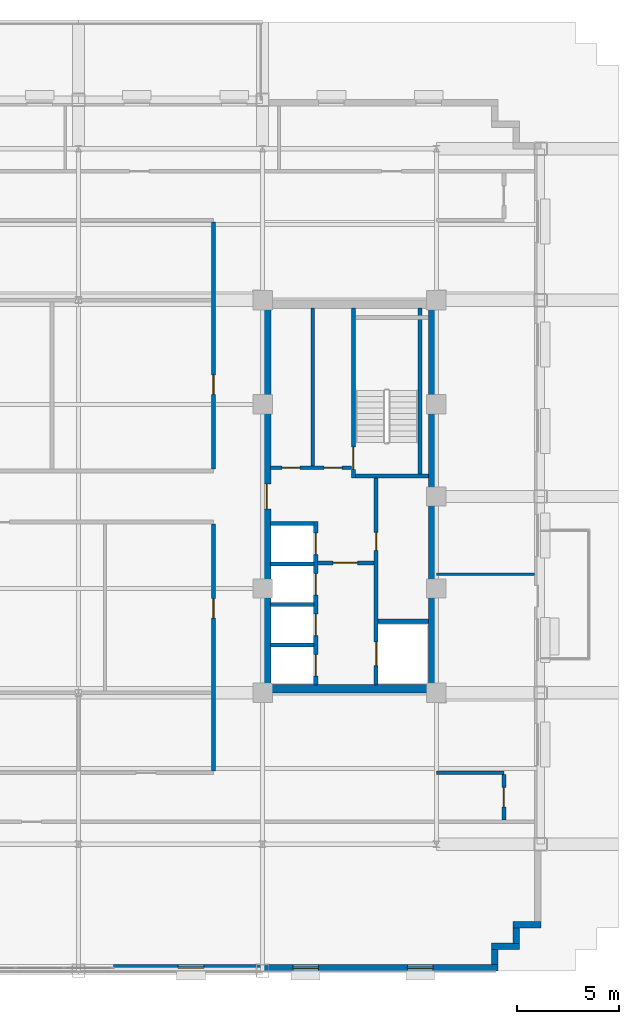
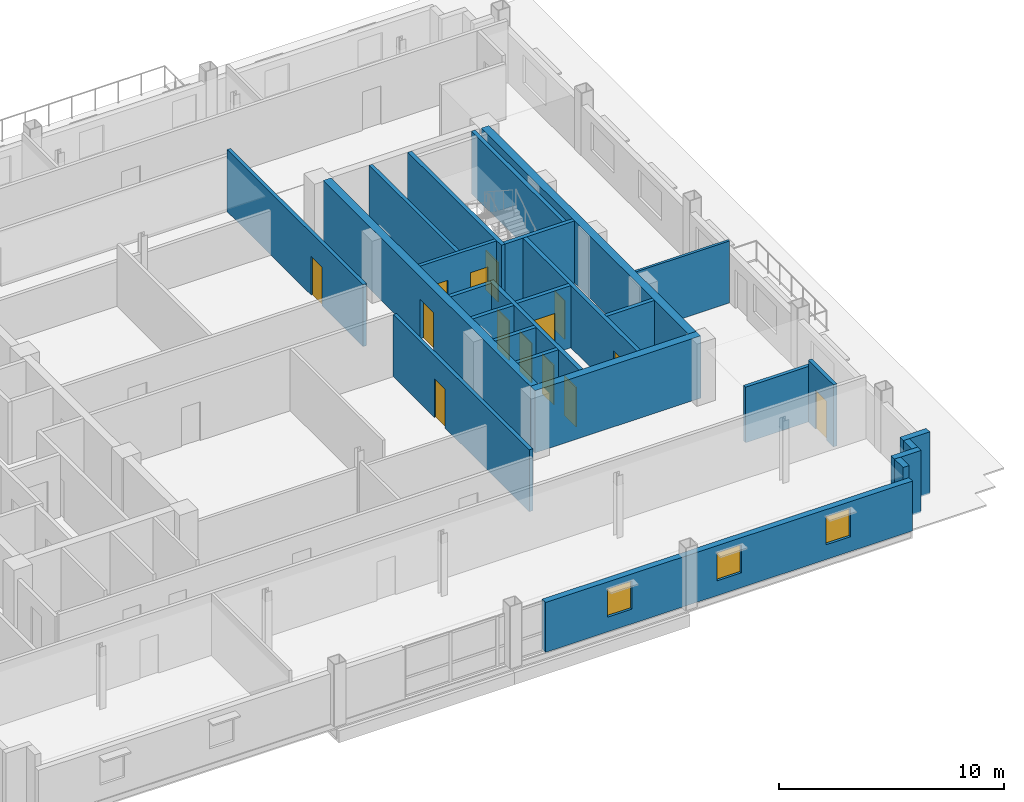
# One storey, part 8 of 17: 26 walls, 14 doors, 3 windows, 17 openings.
"""IFC4 building model written with IfcOpenShell, lengths in metres."""

from ifc_helpers import new_model, si_unit, direction, frame, frame_2d, origin, place, context, subcontext, project, spatial, rectangle, extrude, source, transform, mapped, material, layer, layer_set, type_object, type_shapes, element, fill, save


model = new_model("IFC4")

# Units and contexts
model_context = context("Model", 3, precision=1e-05, world=origin(), true_north=direction((0.0, 1.0)))
body_context = subcontext(model_context, "Body", "Model", "MODEL_VIEW")
ifc_project = project(units=[si_unit("LENGTHUNIT", "METRE"), si_unit("AREAUNIT", "SQUARE_METRE"), si_unit("VOLUMEUNIT", "CUBIC_METRE"), si_unit("PLANEANGLEUNIT", "RADIAN"), si_unit("MASSUNIT", "GRAM", prefix="KILO")], contexts=[model_context])

# Site, building, storey
site_placement = place(None, origin())
site = spatial("IfcSite", under=ifc_project, at=site_placement, CompositionType="ELEMENT")
building_placement = place(site_placement, origin())
building = spatial("IfcBuilding", under=site, at=building_placement, Name="Nuvemarco Arch Tower", CompositionType="ELEMENT")
storey_placement = place(building_placement, frame((0.0, 0.0, 167.64990234375)))
storey = spatial("IfcBuildingStorey", under=building, at=storey_placement, Name="L44", CompositionType="ELEMENT", Elevation=167.64990234375)

# Wall, openings, windows
ifc_material_1 = material(Name="Precast concrete C45/55", Category="concrete")
ifc_layer_1 = layer(ifc_material_1, 0.31005859375, Name="EW-UPP-310")
ifc_layer_set_1 = layer_set([ifc_layer_1], Name="Precast concrete C45/55")
wall_type_1 = type_object("IfcWallType", Name="EW-UPP-310", PredefinedType="STANDARD", material=ifc_layer_set_1)
wall_1_placement = place(storey_placement, frame((1.699951171875, -23.044921875, 0.0), z_axis=(0.0, 0.0, 1.0), x_axis=(1.0, 0.0, 0.0)))
wall_1 = element("IfcWall", 1, at=wall_1_placement, inside=storey, type_object=wall_type_1, Name="L44 exterior precast pier wall south right", PredefinedType="STANDARD", context=body_context, shape_type="SweptSolid", body=[
    extrude(rectangle(XDim=18.800048828125, YDim=0.31005859375, at=frame_2d((9.39990234375, 0.0))), origin(), (0.0, 0.0, 1.0), 2.705078125),
])
opening_1_placement = place(wall_1_placement, frame((3.175048828125, 0.0, 0.800048828125)))
opening_1 = element("IfcOpeningElement", 2, at=opening_1_placement, cuts=wall_1, Name="Opening WN-13", PredefinedType="OPENING", context=body_context, shape_type="SweptSolid", body=[
    extrude(rectangle(XDim=1.25, YDim=1.52001953125, at=frame_2d((0.625, 0.760009765625))), frame((0.0, 0.1650390625, 0.0), z_axis=(0.0, -1.0, 0.0), x_axis=(1.0, 0.0, 0.0)), (0.0, 0.0, 1.0), 0.330078125),
])
opening_2_placement = place(wall_1_placement, frame((8.77490234375, 0.0, 0.800048828125)))
opening_2 = element("IfcOpeningElement", 3, at=opening_2_placement, cuts=wall_1, Name="Opening WN-13", PredefinedType="OPENING", context=body_context, shape_type="SweptSolid", body=[
    extrude(rectangle(XDim=1.25, YDim=1.52001953125, at=frame_2d((0.625, 0.760009765625))), frame((0.0, 0.1650390625, 0.0), z_axis=(0.0, -1.0, 0.0), x_axis=(1.0, 0.0, 0.0)), (0.0, 0.0, 1.0), 0.330078125),
])
opening_3_placement = place(wall_1_placement, frame((14.375, 0.0, 0.800048828125)))
opening_3 = element("IfcOpeningElement", 4, at=opening_3_placement, cuts=wall_1, Name="Opening WN-13", PredefinedType="OPENING", context=body_context, shape_type="SweptSolid", body=[
    extrude(rectangle(XDim=1.25, YDim=1.52001953125, at=frame_2d((0.625, 0.760009765625))), frame((0.0, 0.1650390625, 0.0), z_axis=(0.0, -1.0, 0.0), x_axis=(1.0, 0.0, 0.0)), (0.0, 0.0, 1.0), 0.330078125),
])
ifc_material_2 = material(Name="Insulated solar-control glass", Category="glass")
window_type = type_object("IfcWindowType", Name="WN-SET-1250x1520", PartitioningType="SINGLE_PANEL", PredefinedType="WINDOW", material=ifc_material_2)
shared_shape_1 = source(origin(), body_context, "Body", "SweptSolid", [
    extrude(rectangle(XDim=1.25, YDim=1.52001953125, at=frame_2d((0.625, 0.760009765625))), frame((0.0, 0.030029296875, 0.0), z_axis=(0.0, -1.0, 0.0), x_axis=(1.0, 0.0, 0.0)), (0.0, 0.0, 1.0), 0.06005859375),
])
type_shapes(window_type, [shared_shape_1])
window_1_placement = place(opening_1_placement, origin())
window_1 = element("IfcWindow", 5, at=window_1_placement, inside=storey, type_object=window_type, Name="L44 punched facade window 1", OverallHeight=1.52001953125, OverallWidth=1.25, PartitioningType="SINGLE_PANEL", PredefinedType="WINDOW", context=body_context, shape_type="MappedRepresentation", body=[
    mapped(shared_shape_1, transform((0.0, 0.0, 0.0), scale=1.0)),
])
fill(opening_1, window_1)
window_2_placement = place(opening_2_placement, origin())
window_2 = element("IfcWindow", 6, at=window_2_placement, inside=storey, type_object=window_type, Name="L44 punched facade window 2", OverallHeight=1.52001953125, OverallWidth=1.25, PartitioningType="SINGLE_PANEL", PredefinedType="WINDOW", context=body_context, shape_type="MappedRepresentation", body=[
    mapped(shared_shape_1, transform((0.0, 0.0, 0.0), scale=1.0)),
])
fill(opening_2, window_2)
window_3_placement = place(opening_3_placement, origin())
window_3 = element("IfcWindow", 7, at=window_3_placement, inside=storey, type_object=window_type, Name="L44 punched facade window 3", OverallHeight=1.52001953125, OverallWidth=1.25, PartitioningType="SINGLE_PANEL", PredefinedType="WINDOW", context=body_context, shape_type="MappedRepresentation", body=[
    mapped(shared_shape_1, transform((0.0, 0.0, 0.0), scale=1.0)),
])
fill(opening_3, window_3)

# Walls
wall_2_placement = place(storey_placement, frame((20.344970703125, -22.89404296875, 0.0), z_axis=(0.0, 0.0, 1.0), x_axis=(0.0, 1.0, 0.0)))
element("IfcWall", 8, at=wall_2_placement, inside=storey, type_object=wall_type_1, Name="L44 exterior precast facade wall 2", PredefinedType="STANDARD", context=body_context, shape_type="SweptSolid", body=[
    extrude(rectangle(XDim=0.748046875, YDim=0.31005859375, at=frame_2d((0.3740234375, 0.0))), origin(), (0.0, 0.0, 1.0), 3.360107421875),
])
wall_3_placement = place(storey_placement, frame((20.18994140625, -21.9951171875, 0.0), z_axis=(0.0, 0.0, 1.0), x_axis=(1.0, 0.0, 0.0)))
element("IfcWall", 9, at=wall_3_placement, inside=storey, type_object=wall_type_1, Name="L44 exterior precast facade wall 3", PredefinedType="STANDARD", context=body_context, shape_type="SweptSolid", body=[
    extrude(rectangle(XDim=1.360107421875, YDim=0.31005859375, at=frame_2d((0.68017578125, 0.0))), origin(), (0.0, 0.0, 1.0), 3.360107421875),
])
wall_4_placement = place(storey_placement, frame((21.39501953125, -21.843994140625, 0.0), z_axis=(0.0, 0.0, 1.0), x_axis=(0.0, 1.0, 0.0)))
element("IfcWall", 10, at=wall_4_placement, inside=storey, type_object=wall_type_1, Name="L44 exterior precast facade wall 4", PredefinedType="STANDARD", context=body_context, shape_type="SweptSolid", body=[
    extrude(rectangle(XDim=0.748046875, YDim=0.31005859375, at=frame_2d((0.3740234375, 0.0))), origin(), (0.0, 0.0, 1.0), 3.360107421875),
])
wall_5_placement = place(storey_placement, frame((21.239990234375, -20.945068359375, 0.0), z_axis=(0.0, 0.0, 1.0), x_axis=(1.0, 0.0, 0.0)))
element("IfcWall", 11, at=wall_5_placement, inside=storey, type_object=wall_type_1, Name="L44 exterior precast facade wall 5", PredefinedType="STANDARD", context=body_context, shape_type="SweptSolid", body=[
    extrude(rectangle(XDim=1.360107421875, YDim=0.31005859375, at=frame_2d((0.68017578125, 0.0))), origin(), (0.0, 0.0, 1.0), 3.360107421875),
])
ifc_material_3 = material(Name="Concrete C60/75", Category="concrete")
ifc_layer_2 = layer(ifc_material_3, 0.39990234375, Name="WL-CORE-400")
ifc_layer_set_2 = layer_set([ifc_layer_2], Name="Concrete C60/75")
wall_type_2 = type_object("IfcWallType", Name="WL-CORE-400", PredefinedType="SHEAR", material=ifc_layer_set_2)
wall_6_placement = place(storey_placement, frame((9.0, -9.39990234375, 0.0), z_axis=(0.0, 0.0, 1.0), x_axis=(1.0, 0.0, 0.0)))
element("IfcWall", 12, at=wall_6_placement, inside=storey, type_object=wall_type_2, Name="L44 E-core shear wall S", PredefinedType="SHEAR", context=body_context, shape_type="SweptSolid", body=[
    extrude(rectangle(XDim=8.5, YDim=0.39990234375, at=frame_2d((4.25, 0.0))), origin(), (0.0, 0.0, 1.0), 3.3701171875),
])

# Wall, opening, door
wall_7_placement = place(storey_placement, frame((9.199951171875, -9.205078125, 0.0), z_axis=(0.0, 0.0, 1.0), x_axis=(0.0, 1.0, 0.0)))
wall_7 = element("IfcWall", 13, at=wall_7_placement, inside=storey, type_object=wall_type_2, Name="L44 E-core shear wall W", PredefinedType="SHEAR", context=body_context, shape_type="SweptSolid", body=[
    extrude(rectangle(XDim=18.41015625, YDim=0.39990234375, at=frame_2d((9.205078125, 0.0))), origin(), (0.0, 0.0, 1.0), 3.3701171875),
])
opening_4_placement = place(wall_7_placement, frame((8.60498046875, 0.0, 0.0)))
opening_4 = element("IfcOpeningElement", 14, at=opening_4_placement, cuts=wall_7, Name="Opening FD-2", PredefinedType="OPENING", context=body_context, shape_type="SweptSolid", body=[
    extrude(rectangle(XDim=1.199951171875, YDim=2.14990234375, at=frame_2d((0.60009765625, 1.074951171875))), frame((0.0, 0.2099609375, 0.0), z_axis=(0.0, -1.0, 0.0), x_axis=(1.0, 0.0, 0.0)), (0.0, 0.0, 1.0), 0.419921875),
])
ifc_material_4 = material(Name="Anodised steel fire door", Category="steel")
door_type_1 = type_object("IfcDoorType", Name="DR-FFLOB-FD", OperationType="NOTDEFINED", PredefinedType="DOOR", material=ifc_material_4)
shared_shape_2 = source(origin(), body_context, "Body", "SweptSolid", [
    extrude(rectangle(XDim=1.199951171875, YDim=2.14990234375, at=frame_2d((0.60009765625, 1.074951171875))), frame((0.0, 0.02490234375, 0.0), z_axis=(0.0, -1.0, 0.0), x_axis=(1.0, 0.0, 0.0)), (0.0, 0.0, 1.0), 0.050048828125),
])
type_shapes(door_type_1, [shared_shape_2])
door_1_placement = place(opening_4_placement, origin())
door_1 = element("IfcDoor", 15, at=door_1_placement, inside=storey, type_object=door_type_1, Name="L44 door FD-L44-ECORE-W", OperationType="SINGLE_SWING_LEFT", OverallHeight=2.14990234375, OverallWidth=1.199951171875, PredefinedType="DOOR", context=body_context, shape_type="MappedRepresentation", body=[
    mapped(shared_shape_2, transform((0.0, 0.0, 0.0), scale=1.0)),
])
fill(opening_4, door_1)

# Wall
wall_8_placement = place(storey_placement, frame((17.300048828125, -9.205078125, 0.0), z_axis=(0.0, 0.0, 1.0), x_axis=(0.0, 1.0, 0.0)))
element("IfcWall", 16, at=wall_8_placement, inside=storey, type_object=wall_type_2, Name="L44 E-core shear wall E", PredefinedType="SHEAR", context=body_context, shape_type="SweptSolid", body=[
    extrude(rectangle(XDim=18.41015625, YDim=0.39990234375, at=frame_2d((9.205078125, 0.0))), origin(), (0.0, 0.0, 1.0), 3.3701171875),
])

# Wall, openings, doors
ifc_material_5 = material(Name="Fire-rated gypsum drywall partition")
ifc_layer_3 = layer(ifc_material_5, 0.179931640625, Name="WL-CORR-180")
ifc_layer_set_3 = layer_set([ifc_layer_3], Name="Fire-rated gypsum drywall partition")
wall_type_3 = type_object("IfcWallType", Name="WL-CORR-180", PredefinedType="PARTITIONING", material=ifc_layer_set_3)
wall_9_placement = place(storey_placement, frame((9.39501953125, 1.39990234375, 0.0), z_axis=(0.0, 0.0, 1.0), x_axis=(1.0, 0.0, 0.0)))
wall_9 = element("IfcWall", 17, at=wall_9_placement, inside=storey, type_object=wall_type_3, Name="L44 interior wall IW-L44-EK-S", PredefinedType="PARTITIONING", context=body_context, shape_type="SweptSolid", body=[
    extrude(rectangle(XDim=3.949951171875, YDim=0.179931640625, at=frame_2d((1.97509765625, 0.0))), origin(), (0.0, 0.0, 1.0), 3.360107421875),
])
opening_5_placement = place(wall_9_placement, frame((0.56494140625, 0.0, 0.0)))
opening_5 = element("IfcOpeningElement", 18, at=opening_5_placement, cuts=wall_9, Name="Opening FD-4", PredefinedType="OPENING", context=body_context, shape_type="SweptSolid", body=[
    extrude(rectangle(XDim=0.8798828125, YDim=2.10009765625, at=frame_2d((0.43994140625, 1.050048828125))), frame((0.0, 0.099853515625, 0.0), z_axis=(0.0, -1.0, 0.0), x_axis=(1.0, 0.0, 0.0)), (0.0, 0.0, 1.0), 0.199951171875),
])
opening_6_placement = place(wall_9_placement, frame((2.614990234375, 0.0, 0.0)))
opening_6 = element("IfcOpeningElement", 19, at=opening_6_placement, cuts=wall_9, Name="Opening FD-4", PredefinedType="OPENING", context=body_context, shape_type="SweptSolid", body=[
    extrude(rectangle(XDim=0.8798828125, YDim=2.10009765625, at=frame_2d((0.43994140625, 1.050048828125))), frame((0.0, 0.099853515625, 0.0), z_axis=(0.0, -1.0, 0.0), x_axis=(1.0, 0.0, 0.0)), (0.0, 0.0, 1.0), 0.199951171875),
])
door_type_2 = type_object("IfcDoorType", Name="DR-RISER-FD", OperationType="NOTDEFINED", PredefinedType="DOOR", material=ifc_material_4)
shared_shape_3 = source(origin(), body_context, "Body", "SweptSolid", [
    extrude(rectangle(XDim=0.8798828125, YDim=2.10009765625, at=frame_2d((0.43994140625, 1.050048828125))), frame((0.0, 0.02490234375, 0.0), z_axis=(0.0, -1.0, 0.0), x_axis=(1.0, 0.0, 0.0)), (0.0, 0.0, 1.0), 0.050048828125),
])
type_shapes(door_type_2, [shared_shape_3])
door_2_placement = place(opening_5_placement, origin())
door_2 = element("IfcDoor", 20, at=door_2_placement, inside=storey, type_object=door_type_2, Name="L44 door FD-L44-EK2A", OperationType="SINGLE_SWING_RIGHT", OverallHeight=2.10009765625, OverallWidth=0.8798828125, PredefinedType="DOOR", context=body_context, shape_type="MappedRepresentation", body=[
    mapped(shared_shape_3, transform((0.0, 0.0, 0.0), scale=1.0)),
])
fill(opening_5, door_2)
door_3_placement = place(opening_6_placement, origin())
door_3 = element("IfcDoor", 21, at=door_3_placement, inside=storey, type_object=door_type_2, Name="L44 door FD-L44-EK2B", OperationType="SINGLE_SWING_LEFT", OverallHeight=2.10009765625, OverallWidth=0.8798828125, PredefinedType="DOOR", context=body_context, shape_type="MappedRepresentation", body=[
    mapped(shared_shape_3, transform((0.0, 0.0, 0.0), scale=1.0)),
])
fill(opening_6, door_3)

# Walls
wall_10_placement = place(storey_placement, frame((11.449951171875, 1.489990234375, 0.0), z_axis=(0.0, 0.0, 1.0), x_axis=(0.0, 1.0, 0.0)))
element("IfcWall", 22, at=wall_10_placement, inside=storey, type_object=wall_type_3, Name="L44 interior wall IW-L44-EK2", PredefinedType="PARTITIONING", context=body_context, shape_type="SweptSolid", body=[
    extrude(rectangle(XDim=7.715087890625, YDim=0.179931640625, at=frame_2d((3.857421875, 0.0))), origin(), (0.0, 0.0, 1.0), 3.360107421875),
])
wall_11_placement = place(storey_placement, frame((17.5, -13.5, 0.0), z_axis=(0.0, 0.0, 1.0), x_axis=(1.0, 0.0, 0.0)))
element("IfcWall", 23, at=wall_11_placement, inside=storey, type_object=wall_type_3, Name="L44 interior wall IW-L44-003", PredefinedType="PARTITIONING", context=body_context, shape_type="SweptSolid", body=[
    extrude(rectangle(XDim=3.300048828125, YDim=0.179931640625, at=frame_2d((1.64990234375, 0.0))), origin(), (0.0, 0.0, 1.0), 3.008056640625),
])

# Wall, opening, door
wall_12_placement = place(storey_placement, frame((6.60009765625, -13.4140625, 0.0), z_axis=(0.0, 0.0, 1.0), x_axis=(0.0, 1.0, 0.0)))
wall_12 = element("IfcWall", 24, at=wall_12_placement, inside=storey, type_object=wall_type_3, Name="L44 interior wall IW-L44-026", PredefinedType="PARTITIONING", context=body_context, shape_type="SweptSolid", body=[
    extrude(rectangle(XDim=12.078125, YDim=0.179931640625, at=frame_2d((6.0390625, 0.0))), origin(), (0.0, 0.0, 1.0), 3.360107421875),
])
opening_7_placement = place(wall_12_placement, frame((7.466064453125, 0.0, 0.0)))
opening_7 = element("IfcOpeningElement", 25, at=opening_7_placement, cuts=wall_12, Name="Opening FD-5", PredefinedType="OPENING", context=body_context, shape_type="SweptSolid", body=[
    extrude(rectangle(XDim=0.9599609375, YDim=2.10009765625, at=frame_2d((0.47998046875, 1.050048828125))), frame((0.0, 0.099853515625, 0.0), z_axis=(0.0, -1.0, 0.0), x_axis=(1.0, 0.0, 0.0)), (0.0, 0.0, 1.0), 0.199951171875),
])
ifc_material_6 = material(Name="Timber fire door", Category="wood")
door_type_3 = type_object("IfcDoorType", Name="DR-CORR-FD", OperationType="NOTDEFINED", PredefinedType="DOOR", material=ifc_material_6)
shared_shape_4 = source(origin(), body_context, "Body", "SweptSolid", [
    extrude(rectangle(XDim=0.9599609375, YDim=2.10009765625, at=frame_2d((0.47998046875, 1.050048828125))), frame((0.0, 0.02490234375, 0.0), z_axis=(0.0, -1.0, 0.0), x_axis=(1.0, 0.0, 0.0)), (0.0, 0.0, 1.0), 0.050048828125),
])
type_shapes(door_type_3, [shared_shape_4])
door_4_placement = place(opening_7_placement, origin())
door_4 = element("IfcDoor", 26, at=door_4_placement, inside=storey, type_object=door_type_3, Name="L44 door DR-L44-C_SE", OperationType="SINGLE_SWING_RIGHT", OverallHeight=2.10009765625, OverallWidth=0.9599609375, PredefinedType="DOOR", context=body_context, shape_type="MappedRepresentation", body=[
    mapped(shared_shape_4, transform((0.0, 0.0, 0.0), scale=1.0)),
])
fill(opening_7, door_4)

wall_13_placement = place(storey_placement, frame((6.60009765625, 1.3359375, 0.0), z_axis=(0.0, 0.0, 1.0), x_axis=(0.0, 1.0, 0.0)))
wall_13 = element("IfcWall", 27, at=wall_13_placement, inside=storey, type_object=wall_type_3, Name="L44 interior wall IW-L44-027", PredefinedType="PARTITIONING", context=body_context, shape_type="SweptSolid", body=[
    extrude(rectangle(XDim=12.078125, YDim=0.179931640625, at=frame_2d((6.0390625, 0.0))), origin(), (0.0, 0.0, 1.0), 3.360107421875),
])
opening_8_placement = place(wall_13_placement, frame((3.652099609375, 0.0, 0.0)))
opening_8 = element("IfcOpeningElement", 28, at=opening_8_placement, cuts=wall_13, Name="Opening FD-5", PredefinedType="OPENING", context=body_context, shape_type="SweptSolid", body=[
    extrude(rectangle(XDim=0.9599609375, YDim=2.10009765625, at=frame_2d((0.47998046875, 1.050048828125))), frame((0.0, 0.099853515625, 0.0), z_axis=(0.0, -1.0, 0.0), x_axis=(1.0, 0.0, 0.0)), (0.0, 0.0, 1.0), 0.199951171875),
])
door_5_placement = place(opening_8_placement, origin())
door_5 = element("IfcDoor", 29, at=door_5_placement, inside=storey, type_object=door_type_3, Name="L44 door DR-L44-C_NE", OperationType="SINGLE_SWING_LEFT", OverallHeight=2.10009765625, OverallWidth=0.9599609375, PredefinedType="DOOR", context=body_context, shape_type="MappedRepresentation", body=[
    mapped(shared_shape_4, transform((0.0, 0.0, 0.0), scale=1.0)),
])
fill(opening_8, door_5)

wall_14_placement = place(storey_placement, frame((20.800048828125, -15.81396484375, 0.0), z_axis=(0.0, 0.0, 1.0), x_axis=(0.0, 1.0, 0.0)))
wall_14 = element("IfcWall", 30, at=wall_14_placement, inside=storey, type_object=wall_type_3, Name="L44 interior wall IW-L44-029", PredefinedType="PARTITIONING", context=body_context, shape_type="SweptSolid", body=[
    extrude(rectangle(XDim=2.22802734375, YDim=0.179931640625, at=frame_2d((1.114013671875, 0.0))), origin(), (0.0, 0.0, 1.0), 3.360107421875),
])
opening_9_placement = place(wall_14_placement, frame((0.634033203125, 0.0, 0.0)))
opening_9 = element("IfcOpeningElement", 31, at=opening_9_placement, cuts=wall_14, Name="Opening FD-5", PredefinedType="OPENING", context=body_context, shape_type="SweptSolid", body=[
    extrude(rectangle(XDim=0.9599609375, YDim=2.10009765625, at=frame_2d((0.47998046875, 1.050048828125))), frame((0.0, 0.099853515625, 0.0), z_axis=(0.0, -1.0, 0.0), x_axis=(1.0, 0.0, 0.0)), (0.0, 0.0, 1.0), 0.199951171875),
])
door_6_placement = place(opening_9_placement, origin())
door_6 = element("IfcDoor", 32, at=door_6_placement, inside=storey, type_object=door_type_3, Name="L44 door DR-L44-E_1", OperationType="SINGLE_SWING_RIGHT", OverallHeight=2.10009765625, OverallWidth=0.9599609375, PredefinedType="DOOR", context=body_context, shape_type="MappedRepresentation", body=[
    mapped(shared_shape_4, transform((0.0, 0.0, 0.0), scale=1.0)),
])
fill(opening_9, door_6)

# Wall
ifc_material_7 = material(Name="Glazed acoustic office partition")
ifc_layer_4 = layer(ifc_material_7, 0.1298828125, Name="WL-EXEC-130")
ifc_layer_set_4 = layer_set([ifc_layer_4], Name="Glazed acoustic office partition")
wall_type_4 = type_object("IfcWallType", Name="WL-EXEC-130", PredefinedType="PARTITIONING", material=ifc_layer_set_4)
wall_15_placement = place(storey_placement, frame((17.5, -3.800048828125, 0.0), z_axis=(0.0, 0.0, 1.0), x_axis=(1.0, 0.0, 0.0)))
element("IfcWall", 33, at=wall_15_placement, inside=storey, type_object=wall_type_4, Name="L44 interior wall IW-L44-006", PredefinedType="PARTITIONING", context=body_context, shape_type="SweptSolid", body=[
    extrude(rectangle(XDim=4.7900390625, YDim=0.1298828125, at=frame_2d((2.39501953125, 0.0))), origin(), (0.0, 0.0, 1.0), 3.360107421875),
])

# Wall, opening, door
ifc_material_8 = material(Name="Concrete C50/60", Category="concrete")
ifc_layer_5 = layer(ifc_material_8, 0.199951171875, Name="WL-SHAFT-220")
ifc_layer_set_5 = layer_set([ifc_layer_5], Name="Concrete C50/60")
wall_type_5 = type_object("IfcWallType", Name="WL-SHAFT-220", PredefinedType="SHEAR", material=ifc_layer_set_5)
wall_16_placement = place(storey_placement, frame((13.43994140625, 0.89990234375, 0.0), z_axis=(0.0, 0.0, 1.0), x_axis=(0.0, 1.0, 0.0)))
wall_16 = element("IfcWall", 34, at=wall_16_placement, inside=storey, type_object=wall_type_5, Name="L44 structural shaft wall SW-L44-E-ST2W", PredefinedType="SHEAR", context=body_context, shape_type="SweptSolid", body=[
    extrude(rectangle(XDim=8.30517578125, YDim=0.199951171875, at=frame_2d((4.152587890625, 0.0))), origin(), (0.0, 0.0, 1.0), 3.3701171875),
])
opening_10_placement = place(wall_16_placement, frame((0.429931640625, 0.0, 0.0)))
opening_10 = element("IfcOpeningElement", 35, at=opening_10_placement, cuts=wall_16, Name="Opening FD-1", PredefinedType="OPENING", context=body_context, shape_type="SweptSolid", body=[
    extrude(rectangle(XDim=1.10009765625, YDim=2.14990234375, at=frame_2d((0.550048828125, 1.074951171875))), frame((0.0, 0.10986328125, 0.0), z_axis=(0.0, -1.0, 0.0), x_axis=(1.0, 0.0, 0.0)), (0.0, 0.0, 1.0), 0.219970703125),
])
door_type_4 = type_object("IfcDoorType", Name="DR-STAIR-FD", OperationType="NOTDEFINED", PredefinedType="DOOR", material=ifc_material_4)
shared_shape_5 = source(origin(), body_context, "Body", "SweptSolid", [
    extrude(rectangle(XDim=1.10009765625, YDim=2.14990234375, at=frame_2d((0.550048828125, 1.074951171875))), frame((0.0, 0.02490234375, 0.0), z_axis=(0.0, -1.0, 0.0), x_axis=(1.0, 0.0, 0.0)), (0.0, 0.0, 1.0), 0.050048828125),
])
type_shapes(door_type_4, [shared_shape_5])
door_7_placement = place(opening_10_placement, origin())
door_7 = element("IfcDoor", 36, at=door_7_placement, inside=storey, type_object=door_type_4, Name="L44 door FD-L44-ST2", OperationType="SINGLE_SWING_RIGHT", OverallHeight=2.14990234375, OverallWidth=1.10009765625, PredefinedType="DOOR", context=body_context, shape_type="MappedRepresentation", body=[
    mapped(shared_shape_5, transform((0.0, 0.0, 0.0), scale=1.0)),
])
fill(opening_10, door_7)

# Walls
wall_17_placement = place(storey_placement, frame((13.534912109375, 1.0, 0.0), z_axis=(0.0, 0.0, 1.0), x_axis=(1.0, 0.0, 0.0)))
element("IfcWall", 37, at=wall_17_placement, inside=storey, type_object=wall_type_5, Name="L44 structural shaft wall SW-L44-E-ST2S", PredefinedType="SHEAR", context=body_context, shape_type="SweptSolid", body=[
    extrude(rectangle(XDim=3.570068359375, YDim=0.199951171875, at=frame_2d((1.78515625, 0.0))), origin(), (0.0, 0.0, 1.0), 3.3701171875),
])
wall_18_placement = place(storey_placement, frame((16.699951171875, 1.094970703125, 0.0), z_axis=(0.0, 0.0, 1.0), x_axis=(0.0, 1.0, 0.0)))
element("IfcWall", 38, at=wall_18_placement, inside=storey, type_object=wall_type_5, Name="L44 structural shaft wall SW-L44-E-ST2E", PredefinedType="SHEAR", context=body_context, shape_type="SweptSolid", body=[
    extrude(rectangle(XDim=8.110107421875, YDim=0.199951171875, at=frame_2d((4.05517578125, 0.0))), origin(), (0.0, 0.0, 1.0), 3.3701171875),
])

# Wall, openings, doors
wall_19_placement = place(storey_placement, frame((14.550048828125, -9.205078125, 0.0), z_axis=(0.0, 0.0, 1.0), x_axis=(0.0, 1.0, 0.0)))
wall_19 = element("IfcWall", 39, at=wall_19_placement, inside=storey, type_object=wall_type_5, Name="L44 structural shaft wall SW-L44-E-SHW", PredefinedType="SHEAR", context=body_context, shape_type="SweptSolid", body=[
    extrude(rectangle(XDim=10.110107421875, YDim=0.199951171875, at=frame_2d((5.05517578125, 0.0))), origin(), (0.0, 0.0, 1.0), 3.3701171875),
])
opening_11_placement = place(wall_19_placement, frame((6.56494140625, 0.0, 0.0)))
opening_11 = element("IfcOpeningElement", 40, at=opening_11_placement, cuts=wall_19, Name="Opening FD-4", PredefinedType="OPENING", context=body_context, shape_type="SweptSolid", body=[
    extrude(rectangle(XDim=0.8798828125, YDim=2.10009765625, at=frame_2d((0.43994140625, 1.050048828125))), frame((0.0, 0.10986328125, 0.0), z_axis=(0.0, -1.0, 0.0), x_axis=(1.0, 0.0, 0.0)), (0.0, 0.0, 1.0), 0.219970703125),
])
opening_12_placement = place(wall_19_placement, frame((0.929931640625, 0.0, 0.0)))
opening_12 = element("IfcOpeningElement", 41, at=opening_12_placement, cuts=wall_19, Name="Opening LD-2", PredefinedType="OPENING", context=body_context, shape_type="SweptSolid", body=[
    extrude(rectangle(XDim=1.14990234375, YDim=2.14990234375, at=frame_2d((0.574951171875, 1.074951171875))), frame((0.0, 0.10986328125, 0.0), z_axis=(0.0, -1.0, 0.0), x_axis=(1.0, 0.0, 0.0)), (0.0, 0.0, 1.0), 0.219970703125),
])
door_8_placement = place(opening_11_placement, origin())
door_8 = element("IfcDoor", 42, at=door_8_placement, inside=storey, type_object=door_type_2, Name="L44 door FD-L44-ERIS", OperationType="SINGLE_SWING_RIGHT", OverallHeight=2.10009765625, OverallWidth=0.8798828125, PredefinedType="DOOR", context=body_context, shape_type="MappedRepresentation", body=[
    mapped(shared_shape_3, transform((0.0, 0.0, 0.0), scale=1.0)),
])
fill(opening_11, door_8)
ifc_material_9 = material(Name="Stainless steel lift door", Category="steel")
door_type_5 = type_object("IfcDoorType", Name="DR-LIFT-FIRE", OperationType="DOUBLE_DOOR_SLIDING", PredefinedType="DOOR", material=ifc_material_9)
shared_shape_6 = source(origin(), body_context, "Body", "SweptSolid", [
    extrude(rectangle(XDim=1.14990234375, YDim=2.14990234375, at=frame_2d((0.574951171875, 1.074951171875))), frame((0.0, 0.02490234375, 0.0), z_axis=(0.0, -1.0, 0.0), x_axis=(1.0, 0.0, 0.0)), (0.0, 0.0, 1.0), 0.050048828125),
])
type_shapes(door_type_5, [shared_shape_6])
door_9_placement = place(opening_12_placement, origin())
door_9 = element("IfcDoor", 43, at=door_9_placement, inside=storey, type_object=door_type_5, Name="L44 Lift landing sliding door FFL-2", OperationType="DOUBLE_DOOR_SLIDING", OverallHeight=2.14990234375, OverallWidth=1.14990234375, PredefinedType="DOOR", context=body_context, shape_type="MappedRepresentation", body=[
    mapped(shared_shape_6, transform((0.0, 0.0, 0.0), scale=1.0)),
])
fill(opening_12, door_9)

# Wall
wall_20_placement = place(storey_placement, frame((14.64501953125, -6.10009765625, 0.0), z_axis=(0.0, 0.0, 1.0), x_axis=(1.0, 0.0, 0.0)))
element("IfcWall", 44, at=wall_20_placement, inside=storey, type_object=wall_type_5, Name="L44 structural shaft wall SW-L44-E-SH1", PredefinedType="SHEAR", context=body_context, shape_type="SweptSolid", body=[
    extrude(rectangle(XDim=2.4599609375, YDim=0.199951171875, at=frame_2d((1.22998046875, 0.0))), origin(), (0.0, 0.0, 1.0), 3.3701171875),
])

# Wall, openings, doors
wall_21_placement = place(storey_placement, frame((11.60009765625, -9.205078125, 0.0), z_axis=(0.0, 0.0, 1.0), x_axis=(0.0, 1.0, 0.0)))
wall_21 = element("IfcWall", 45, at=wall_21_placement, inside=storey, type_object=wall_type_5, Name="L44 structural shaft wall SW-L44-E-PME", PredefinedType="SHEAR", context=body_context, shape_type="SweptSolid", body=[
    extrude(rectangle(XDim=7.97509765625, YDim=0.199951171875, at=frame_2d((3.987548828125, 0.0))), origin(), (0.0, 0.0, 1.0), 3.3701171875),
])
opening_13_placement = place(wall_21_placement, frame((0.419921875, 0.0, 0.0)))
opening_13 = element("IfcOpeningElement", 46, at=opening_13_placement, cuts=wall_21, Name="Opening LD-1", PredefinedType="OPENING", context=body_context, shape_type="SweptSolid", body=[
    extrude(rectangle(XDim=1.050048828125, YDim=2.14990234375, at=frame_2d((0.52490234375, 1.074951171875))), frame((0.0, 0.10986328125, 0.0), z_axis=(0.0, -1.0, 0.0), x_axis=(1.0, 0.0, 0.0)), (0.0, 0.0, 1.0), 0.219970703125),
])
opening_14_placement = place(wall_21_placement, frame((2.39990234375, 0.0, 0.0)))
opening_14 = element("IfcOpeningElement", 47, at=opening_14_placement, cuts=wall_21, Name="Opening LD-1", PredefinedType="OPENING", context=body_context, shape_type="SweptSolid", body=[
    extrude(rectangle(XDim=1.050048828125, YDim=2.14990234375, at=frame_2d((0.52490234375, 1.074951171875))), frame((0.0, 0.10986328125, 0.0), z_axis=(0.0, -1.0, 0.0), x_axis=(1.0, 0.0, 0.0)), (0.0, 0.0, 1.0), 0.219970703125),
])
opening_15_placement = place(wall_21_placement, frame((4.3798828125, 0.0, 0.0)))
opening_15 = element("IfcOpeningElement", 48, at=opening_15_placement, cuts=wall_21, Name="Opening LD-1", PredefinedType="OPENING", context=body_context, shape_type="SweptSolid", body=[
    extrude(rectangle(XDim=1.050048828125, YDim=2.14990234375, at=frame_2d((0.52490234375, 1.074951171875))), frame((0.0, 0.10986328125, 0.0), z_axis=(0.0, -1.0, 0.0), x_axis=(1.0, 0.0, 0.0)), (0.0, 0.0, 1.0), 0.219970703125),
])
opening_16_placement = place(wall_21_placement, frame((6.360107421875, 0.0, 0.0)))
opening_16 = element("IfcOpeningElement", 49, at=opening_16_placement, cuts=wall_21, Name="Opening LD-1", PredefinedType="OPENING", context=body_context, shape_type="SweptSolid", body=[
    extrude(rectangle(XDim=1.050048828125, YDim=2.14990234375, at=frame_2d((0.52490234375, 1.074951171875))), frame((0.0, 0.10986328125, 0.0), z_axis=(0.0, -1.0, 0.0), x_axis=(1.0, 0.0, 0.0)), (0.0, 0.0, 1.0), 0.219970703125),
])
door_type_6 = type_object("IfcDoorType", Name="DR-LIFT-PASS", OperationType="DOUBLE_DOOR_SLIDING", PredefinedType="DOOR", material=ifc_material_9)
shared_shape_7 = source(origin(), body_context, "Body", "SweptSolid", [
    extrude(rectangle(XDim=1.050048828125, YDim=2.14990234375, at=frame_2d((0.52490234375, 1.074951171875))), frame((0.0, 0.02490234375, 0.0), z_axis=(0.0, -1.0, 0.0), x_axis=(1.0, 0.0, 0.0)), (0.0, 0.0, 1.0), 0.050048828125),
])
type_shapes(door_type_6, [shared_shape_7])
door_10_placement = place(opening_13_placement, origin())
door_10 = element("IfcDoor", 50, at=door_10_placement, inside=storey, type_object=door_type_6, Name="L44 Lift landing sliding door PM-1", OperationType="DOUBLE_DOOR_SLIDING", OverallHeight=2.14990234375, OverallWidth=1.050048828125, PredefinedType="DOOR", context=body_context, shape_type="MappedRepresentation", body=[
    mapped(shared_shape_7, transform((0.0, 0.0, 0.0), scale=1.0)),
])
fill(opening_13, door_10)
door_11_placement = place(opening_14_placement, origin())
door_11 = element("IfcDoor", 51, at=door_11_placement, inside=storey, type_object=door_type_6, Name="L44 Lift landing sliding door PM-2", OperationType="DOUBLE_DOOR_SLIDING", OverallHeight=2.14990234375, OverallWidth=1.050048828125, PredefinedType="DOOR", context=body_context, shape_type="MappedRepresentation", body=[
    mapped(shared_shape_7, transform((0.0, 0.0, 0.0), scale=1.0)),
])
fill(opening_14, door_11)
door_12_placement = place(opening_15_placement, origin())
door_12 = element("IfcDoor", 52, at=door_12_placement, inside=storey, type_object=door_type_6, Name="L44 Lift landing sliding door PM-3", OperationType="DOUBLE_DOOR_SLIDING", OverallHeight=2.14990234375, OverallWidth=1.050048828125, PredefinedType="DOOR", context=body_context, shape_type="MappedRepresentation", body=[
    mapped(shared_shape_7, transform((0.0, 0.0, 0.0), scale=1.0)),
])
fill(opening_15, door_12)
door_13_placement = place(opening_16_placement, origin())
door_13 = element("IfcDoor", 53, at=door_13_placement, inside=storey, type_object=door_type_6, Name="L44 Lift landing sliding door PM-4", OperationType="DOUBLE_DOOR_SLIDING", OverallHeight=2.14990234375, OverallWidth=1.050048828125, PredefinedType="DOOR", context=body_context, shape_type="MappedRepresentation", body=[
    mapped(shared_shape_7, transform((0.0, 0.0, 0.0), scale=1.0)),
])
fill(opening_16, door_13)

# Wall, opening, door
wall_22_placement = place(storey_placement, frame((11.695068359375, -3.25, 0.0), z_axis=(0.0, 0.0, 1.0), x_axis=(1.0, 0.0, 0.0)))
wall_22 = element("IfcWall", 54, at=wall_22_placement, inside=storey, type_object=wall_type_5, Name="L44 structural shaft wall SW-L44-E-FFN", PredefinedType="SHEAR", context=body_context, shape_type="SweptSolid", body=[
    extrude(rectangle(XDim=2.760009765625, YDim=0.199951171875, at=frame_2d((1.3798828125, 0.0))), origin(), (0.0, 0.0, 1.0), 3.3701171875),
])
opening_17_placement = place(wall_22_placement, frame((0.7548828125, 0.0, 0.0)))
opening_17 = element("IfcOpeningElement", 55, at=opening_17_placement, cuts=wall_22, Name="Opening FD-2", PredefinedType="OPENING", context=body_context, shape_type="SweptSolid", body=[
    extrude(rectangle(XDim=1.199951171875, YDim=2.14990234375, at=frame_2d((0.60009765625, 1.074951171875))), frame((0.0, 0.10986328125, 0.0), z_axis=(0.0, -1.0, 0.0), x_axis=(1.0, 0.0, 0.0)), (0.0, 0.0, 1.0), 0.219970703125),
])
door_14_placement = place(opening_17_placement, origin())
door_14 = element("IfcDoor", 56, at=door_14_placement, inside=storey, type_object=door_type_1, Name="L44 door FD-L44-EFF2", OperationType="SINGLE_SWING_RIGHT", OverallHeight=2.14990234375, OverallWidth=1.199951171875, PredefinedType="DOOR", context=body_context, shape_type="MappedRepresentation", body=[
    mapped(shared_shape_2, transform((0.0, 0.0, 0.0), scale=1.0)),
])
fill(opening_17, door_14)

# Walls
for number, where, z_axis, x_axis, name in (
    (57, (9.39501953125, -7.27001953125, 0.0), (0.0, 0.0, 1.0), (1.0, 0.0, 0.0), "L44 structural shaft wall SW-L44-E-PMD1"),
    (58, (9.39501953125, -5.2900390625, 0.0), (0.0, 0.0, 1.0), (1.0, 0.0, 0.0), "L44 structural shaft wall SW-L44-E-PMD2"),
    (59, (9.39501953125, -3.31005859375, 0.0), (0.0, 0.0, 1.0), (1.0, 0.0, 0.0), "L44 structural shaft wall SW-L44-E-PMD3"),
    (60, (9.39501953125, -1.330078125, 0.0), (0.0, 0.0, 1.0), (1.0, 0.0, 0.0), "L44 structural shaft wall SW-L44-E-PMD4"),
):
    element("IfcWall", number, at=place(storey_placement, frame(where, z_axis=z_axis, x_axis=x_axis)), inside=storey, type_object=wall_type_5, Name=name, PredefinedType="SHEAR", context=body_context, shape_type="SweptSolid", body=[
        extrude(rectangle(XDim=2.10986328125, YDim=0.199951171875, at=frame_2d((1.054931640625, 0.0))), origin(), (0.0, 0.0, 1.0), 3.3701171875),
    ])

save(model, "model.ifc")
